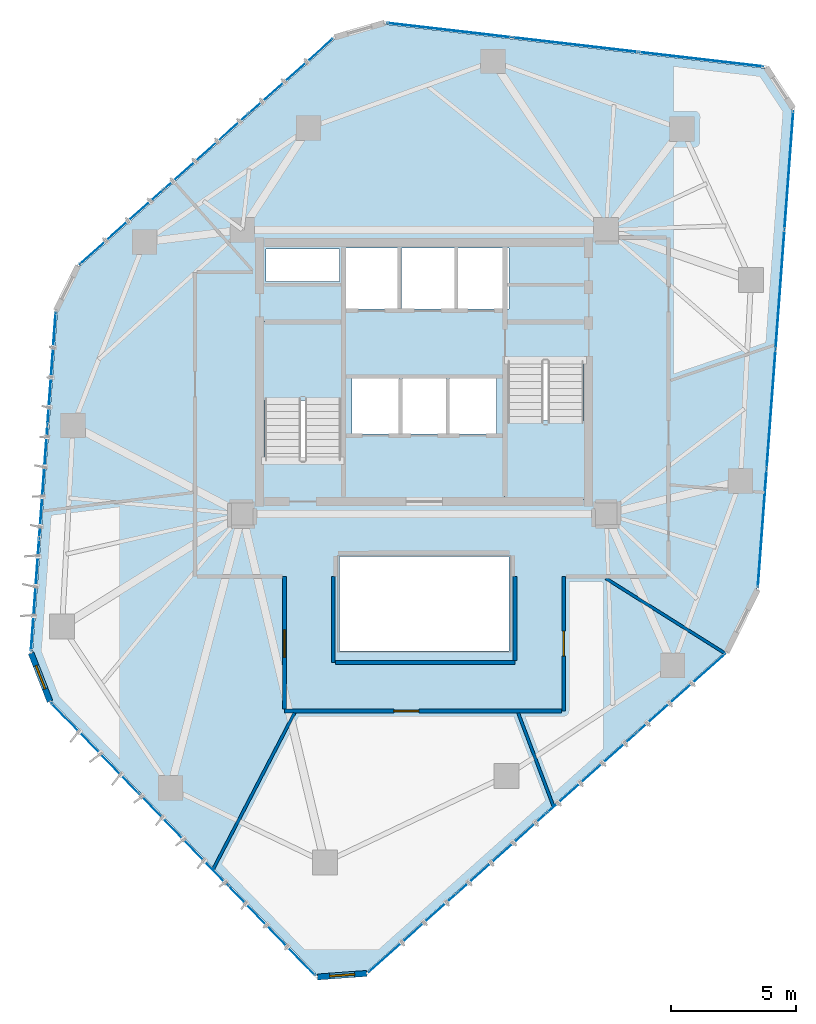
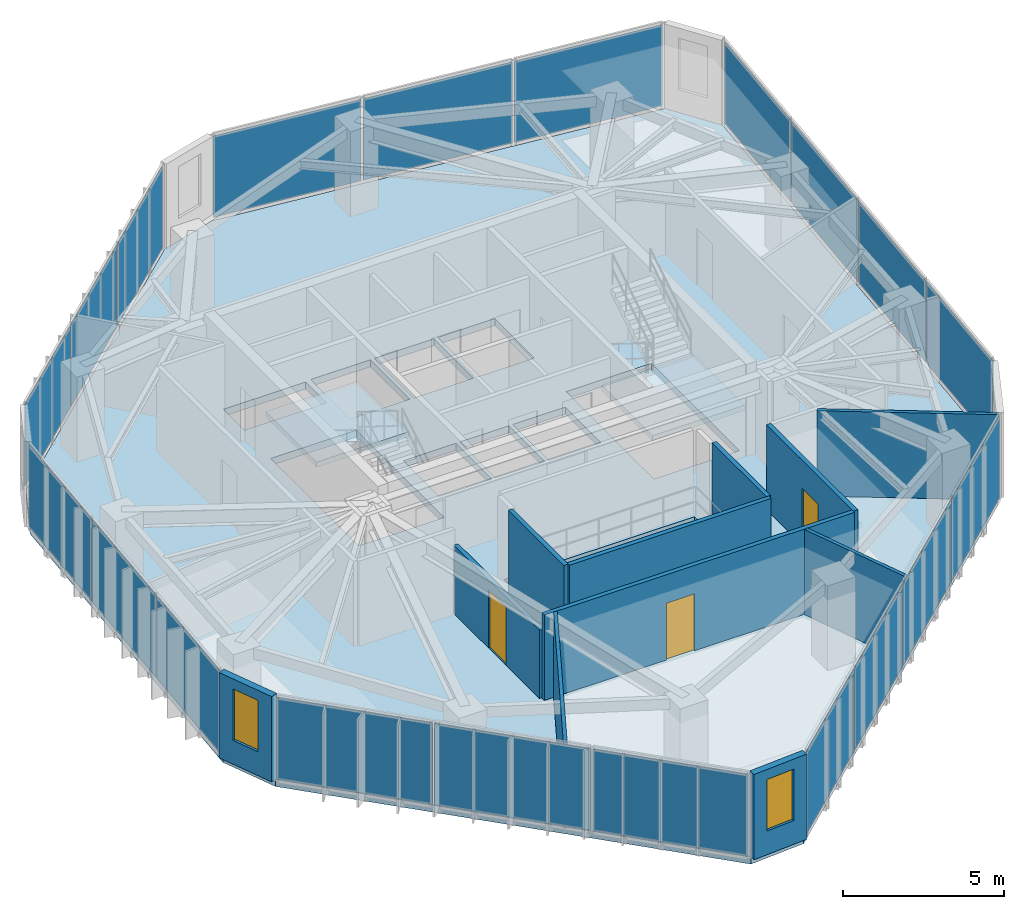
# One storey, part 15 of 20: 20 plates, 11 walls, 3 doors, 3 slabs, 2 windows, 5 openings, 8 elements without a shape of their own.
"""IFC4 building model written with IfcOpenShell, lengths in metres."""

from ifc_helpers import new_model, si_unit, direction, frame, frame_2d, origin, origin_2d, place, context, subcontext, project, spatial, polyline, rectangle, outline, extrude, source, transform, mapped, material, layer, layer_set, type_object, type_shapes, element, fill, aggregate, save


model = new_model("IFC4")

# Units and contexts
model_context = context("Model", 3, precision=1e-05, world=origin(), true_north=direction((0.0, 1.0)))
body_context = subcontext(model_context, "Body", "Model", "MODEL_VIEW")
ifc_project = project(units=[si_unit("LENGTHUNIT", "METRE"), si_unit("AREAUNIT", "SQUARE_METRE"), si_unit("VOLUMEUNIT", "CUBIC_METRE"), si_unit("PLANEANGLEUNIT", "RADIAN"), si_unit("MASSUNIT", "GRAM", prefix="KILO")], contexts=[model_context])

# Site, building, storey
site_placement = place(None, origin())
site = spatial("IfcSite", under=ifc_project, at=site_placement, CompositionType="ELEMENT")
building_placement = place(site_placement, origin())
building = spatial("IfcBuilding", under=site, at=building_placement, Name="Talar Marvaseh", CompositionType="ELEMENT")
storey_placement = place(building_placement, frame((0.0, 0.0, 215.199951171875)))
storey = spatial("IfcBuildingStorey", under=building, at=storey_placement, Name="L56", CompositionType="ELEMENT", Elevation=215.199951171875)

# Stair, slab
ifc_material_1 = material(Name="Concrete C40/50", Category="concrete")
stair_type = type_object("IfcStairType", Name="Reinforced Concrete High-Rise Exit Stair Type C", PredefinedType="HALF_TURN_STAIR", material=ifc_material_1)
stair_1_placement = place(storey_placement, origin())
stair_1 = element("IfcStair", 1, at=stair_1_placement, inside=storey, type_object=stair_type, Name="L56 Tower West Core Exit Stair", PredefinedType="HALF_TURN_STAIR")
ifc_layer_1 = layer(ifc_material_1, 0.199951171875)
ifc_layer_set_1 = layer_set([ifc_layer_1], Name="Concrete C40/50")
slab_type_1 = type_object("IfcSlabType", Name="Reinforced Concrete Stair Half-Landing Slab 200", PredefinedType="LANDING", material=ifc_layer_set_1)
slab_1_placement = place(storey_placement, frame((0.0, 0.0, 1.550048828125)))
slab_1 = element("IfcSlab", 2, at=slab_1_placement, type_object=slab_type_1, Name="ST-1 landing 1", PredefinedType="LANDING", context=body_context, shape_type="SweptSolid", body=[
    extrude(outline(polyline([(22.780029296875, 30.050048828125), (22.780029296875, 33.219970703125), (19.47998046875, 33.219970703125), (19.47998046875, 30.050048828125), (22.780029296875, 30.050048828125)])), origin(), (0.0, 0.0, 1.0), 0.199951171875),
])
aggregate(stair_1, [slab_1])

stair_2_placement = place(storey_placement, origin())
stair_2 = element("IfcStair", 3, at=stair_2_placement, inside=storey, type_object=stair_type, Name="L56 Tower East Core Exit Stair", PredefinedType="HALF_TURN_STAIR")
slab_2_placement = place(storey_placement, frame((0.0, 0.0, 1.550048828125)))
slab_2 = element("IfcSlab", 4, at=slab_2_placement, type_object=slab_type_1, Name="ST-2 landing 1", PredefinedType="LANDING", context=body_context, shape_type="SweptSolid", body=[
    extrude(outline(polyline([(29.219970703125, 29.25), (29.219970703125, 26.080078125), (32.52001953125, 26.080078125), (32.52001953125, 29.25), (29.219970703125, 29.25)])), origin(), (0.0, 0.0, 1.0), 0.199951171875),
])
aggregate(stair_2, [slab_2])

# Slab
ifc_layer_2 = layer(ifc_material_1, 0.27001953125)
ifc_layer_set_2 = layer_set([ifc_layer_2], Name="Concrete C40/50")
slab_type_2 = type_object("IfcSlabType", Name="Structural Suspended Floor Slab 270", PredefinedType="FLOOR", material=ifc_layer_set_2)
slab_3_placement = place(storey_placement, frame((0.0, 0.0, -0.27001953125)))
element("IfcSlab", 5, at=slab_3_placement, inside=storey, type_object=slab_type_2, Name="L56 Tower Floor Slab", PredefinedType="FLOOR", context=body_context, shape_type="SweptSolid", body=[
    extrude(outline(polyline([(23.689453125, 7.128662109375), (21.716796875, 6.984619140625), (11.04296875, 18.000732421875), (10.28173828125, 19.945556640625), (11.283203125, 33.640869140625), (12.169189453125, 35.437255859375), (22.424560546875, 44.56884765625), (24.430908203125, 45.14892578125), (39.66845703125, 43.386962890625), (40.7548828125, 41.734375), (39.322509765625, 22.49951171875), (38.077392578125, 19.974609375), (23.689453125, 7.128662109375)]), holes=[polyline([(22.659912109375, 27.64990234375), (22.659912109375, 33.10009765625), (19.60009765625, 33.10009765625), (19.60009765625, 27.64990234375), (22.659912109375, 27.64990234375)]), polyline([(29.340087890625, 31.64990234375), (29.340087890625, 26.199951171875), (32.39990234375, 26.199951171875), (32.39990234375, 31.64990234375), (29.340087890625, 31.64990234375)]), polyline([(22.800048828125, 33.719970703125), (24.93994140625, 33.719970703125), (24.93994140625, 36.179931640625), (22.800048828125, 36.179931640625), (22.800048828125, 33.719970703125)]), polyline([(25.080078125, 33.719970703125), (27.219970703125, 33.719970703125), (27.219970703125, 36.179931640625), (25.080078125, 36.179931640625), (25.080078125, 33.719970703125)]), polyline([(27.360107421875, 33.719970703125), (29.39990234375, 33.719970703125), (29.39990234375, 36.179931640625), (27.360107421875, 36.179931640625), (27.360107421875, 33.719970703125)]), polyline([(23.10009765625, 28.719970703125), (24.97998046875, 28.719970703125), (24.97998046875, 30.93994140625), (23.10009765625, 30.93994140625), (23.10009765625, 28.719970703125)]), polyline([(25.1201171875, 28.719970703125), (26.8798828125, 28.719970703125), (26.8798828125, 30.93994140625), (25.1201171875, 30.93994140625), (25.1201171875, 28.719970703125)]), polyline([(27.02001953125, 28.719970703125), (28.89990234375, 28.719970703125), (28.89990234375, 30.93994140625), (27.02001953125, 30.93994140625), (27.02001953125, 28.719970703125)]), polyline([(19.659912109375, 34.840087890625), (22.60009765625, 34.840087890625), (22.60009765625, 36.139892578125), (19.659912109375, 36.139892578125), (19.659912109375, 34.840087890625)]), polyline([(22.60009765625, 20.0), (29.39990234375, 20.0), (29.39990234375, 23.800048828125), (22.60009765625, 23.800048828125), (22.60009765625, 20.0)])]), origin(), (0.0, 0.0, 1.0), 0.27001953125),
])

# Curtain wall, plates
ifc_material_2 = material(Name="Architectural Aluminium", Category="aluminium")
ifc_layer_3 = layer(ifc_material_2, 0.18994140625)
ifc_layer_set_3 = layer_set([ifc_layer_3], Name="Architectural Aluminium")
curtain_wall_type = type_object("IfcCurtainWallType", Name="Unitised Solar Atelier Curtain Wall Z3", PredefinedType="NOTDEFINED", material=ifc_layer_set_3)
curtain_wall_1_placement = place(storey_placement, origin())
curtain_wall_1 = element("IfcCurtainWall", 6, at=curtain_wall_1_placement, inside=storey, type_object=curtain_wall_type, Name="L56 Unitised Solar Atelier Curtain Wall Z3", PredefinedType="NOTDEFINED")
ifc_material_3 = material(Name="Laminated Low-E Solar Glass", Category="glass")
ifc_layer_4 = layer(ifc_material_3, 0.028076171875)
ifc_layer_set_4 = layer_set([ifc_layer_4], Name="Laminated Low-E Solar Glass")
plate_type = type_object("IfcPlateType", Name="Double-Glazed Low-E Vision Curtain Panel 28", PredefinedType="CURTAIN_PANEL", material=ifc_layer_set_4)
shared_shape_1 = source(origin(), body_context, "Body", "SweptSolid", [
    extrude(rectangle(XDim=5.00048828125, YDim=0.028076171875, at=origin_2d()), origin(), (0.0, 0.0, 1.0), 3.080078125),
])
plate_1_placement = place(storey_placement, frame((19.8818359375, 8.79248046875, 0.074951171875), z_axis=(0.0, 0.0, 1.0), x_axis=(-0.695864261431, 0.718173328427, 0.0)))
plate_1 = element("IfcPlate", 7, at=plate_1_placement, type_object=plate_type, Name="CW-Z3 panel 1.1", PredefinedType="CURTAIN_PANEL", context=body_context, shape_type="MappedRepresentation", body=[
    mapped(shared_shape_1, transform((0.0, 0.0, 0.0), x_axis=(1.0, 0.0, 0.0), y_axis=(0.0, 1.0, 0.0), z_axis=(0.0, 0.0, 1.0), scale=1.0)),
])
plate_2_placement = place(storey_placement, frame((12.7919921875, 16.109619140625, 0.074951171875), z_axis=(0.0, 0.0, 1.0), x_axis=(-0.695864261431, 0.718173328427, 0.0)))
plate_2 = element("IfcPlate", 8, at=plate_2_placement, type_object=plate_type, Name="CW-Z3 panel 3.1", PredefinedType="CURTAIN_PANEL", context=body_context, shape_type="MappedRepresentation", body=[
    mapped(shared_shape_1, transform((0.0, 0.0, 0.0), x_axis=(1.0, 0.0, 0.0), y_axis=(0.0, 1.0, 0.0), z_axis=(0.0, 0.0, 1.0), scale=1.0)),
])

curtain_wall_2_placement = place(storey_placement, origin())
curtain_wall_2 = element("IfcCurtainWall", 9, at=curtain_wall_2_placement, inside=storey, type_object=curtain_wall_type, Name="L56 Unitised Solar Atelier Curtain Wall Z3", PredefinedType="NOTDEFINED")
plate_3_placement = place(storey_placement, frame((26.99609375, 44.91259765625, 0.074951171875), z_axis=(0.0, 0.0, 1.0), x_axis=(0.993380496378, -0.114870315646, 0.0)))
plate_3 = element("IfcPlate", 10, at=plate_3_placement, type_object=plate_type, Name="CW-Z3 panel 1.1", PredefinedType="CURTAIN_PANEL", context=body_context, shape_type="MappedRepresentation", body=[
    mapped(shared_shape_1, transform((0.0, 0.0, 0.0), x_axis=(1.0, 0.0, 0.0), y_axis=(0.0, 1.0, 0.0), z_axis=(0.0, 0.0, 1.0), scale=1.0)),
])
plate_4_placement = place(storey_placement, frame((37.1171875, 43.742431640625, 0.074951171875), z_axis=(0.0, 0.0, 1.0), x_axis=(0.993380496378, -0.114870315646, 0.0)))
plate_4 = element("IfcPlate", 11, at=plate_4_placement, type_object=plate_type, Name="CW-Z3 panel 3.1", PredefinedType="CURTAIN_PANEL", context=body_context, shape_type="MappedRepresentation", body=[
    mapped(shared_shape_1, transform((0.0, 0.0, 0.0), x_axis=(1.0, 0.0, 0.0), y_axis=(0.0, 1.0, 0.0), z_axis=(0.0, 0.0, 1.0), scale=1.0)),
])

# Plate
shared_shape_2 = source(origin(), body_context, "Body", "SweptSolid", [
    extrude(rectangle(XDim=5.0380859375, YDim=0.028076171875, at=origin_2d()), origin(), (0.0, 0.0, 1.0), 3.080078125),
])
plate_5_placement = place(storey_placement, frame((16.3369140625, 12.450927734375, 0.074951171875), z_axis=(0.0, 0.0, 1.0), x_axis=(-0.695864261431, 0.718173328427, 0.0)))
plate_5 = element("IfcPlate", 12, at=plate_5_placement, type_object=plate_type, Name="CW-Z3 panel 2.1", PredefinedType="CURTAIN_PANEL", context=body_context, shape_type="MappedRepresentation", body=[
    mapped(shared_shape_2, transform((0.0, 0.0, 0.0), x_axis=(1.0, 0.0, 0.0), y_axis=(0.0, 1.0, 0.0), z_axis=(0.0, 0.0, 1.0), scale=1.0)),
])

aggregate(curtain_wall_1, [plate_1, plate_5, plate_2])

plate_6_placement = place(storey_placement, frame((32.056640625, 44.327392578125, 0.074951171875), z_axis=(0.0, 0.0, 1.0), x_axis=(0.993380496378, -0.114870315646, 0.0)))
plate_6 = element("IfcPlate", 13, at=plate_6_placement, type_object=plate_type, Name="CW-Z3 panel 2.1", PredefinedType="CURTAIN_PANEL", context=body_context, shape_type="MappedRepresentation", body=[
    mapped(shared_shape_2, transform((0.0, 0.0, 0.0), x_axis=(1.0, 0.0, 0.0), y_axis=(0.0, 1.0, 0.0), z_axis=(0.0, 0.0, 1.0), scale=1.0)),
])

aggregate(curtain_wall_2, [plate_3, plate_6, plate_4])

# Curtain wall, plates
curtain_wall_3_placement = place(storey_placement, origin())
curtain_wall_3 = element("IfcCurtainWall", 14, at=curtain_wall_3_placement, inside=storey, type_object=curtain_wall_type, Name="L56 Unitised Solar Atelier Curtain Wall Z3", PredefinedType="NOTDEFINED")
shared_shape_3 = source(origin(), body_context, "Body", "SweptSolid", [
    extrude(rectangle(XDim=4.46484375, YDim=0.028076171875, at=origin_2d()), origin(), (0.0, 0.0, 1.0), 3.080078125),
])
plate_7_placement = place(storey_placement, frame((10.390380859375, 22.251220703125, 0.074951171875), z_axis=(0.0, 0.0, 1.0), x_axis=(0.072925816354, 0.99733736785, 0.0)))
plate_7 = element("IfcPlate", 15, at=plate_7_placement, type_object=plate_type, Name="CW-Z3 panel 1.1", PredefinedType="CURTAIN_PANEL", context=body_context, shape_type="MappedRepresentation", body=[
    mapped(shared_shape_3, transform((0.0, 0.0, 0.0), x_axis=(1.0, 0.0, 0.0), y_axis=(0.0, 1.0, 0.0), z_axis=(0.0, 0.0, 1.0), scale=1.0)),
])
plate_8_placement = place(storey_placement, frame((11.05517578125, 31.343994140625, 0.074951171875), z_axis=(0.0, 0.0, 1.0), x_axis=(0.072925816354, 0.99733736785, 0.0)))
plate_8 = element("IfcPlate", 16, at=plate_8_placement, type_object=plate_type, Name="CW-Z3 panel 3.1", PredefinedType="CURTAIN_PANEL", context=body_context, shape_type="MappedRepresentation", body=[
    mapped(shared_shape_3, transform((0.0, 0.0, 0.0), x_axis=(1.0, 0.0, 0.0), y_axis=(0.0, 1.0, 0.0), z_axis=(0.0, 0.0, 1.0), scale=1.0)),
])

curtain_wall_4_placement = place(storey_placement, origin())
curtain_wall_4 = element("IfcCurtainWall", 17, at=curtain_wall_4_placement, inside=storey, type_object=curtain_wall_type, Name="L56 Unitised Solar Atelier Curtain Wall Z3", PredefinedType="NOTDEFINED")
plate_9_placement = place(storey_placement, frame((13.8525390625, 37.0166015625, 0.074951171875), z_axis=(0.0, 0.0, 1.0), x_axis=(0.74684494069, 0.664998221476, 0.0)))
plate_9 = element("IfcPlate", 18, at=plate_9_placement, type_object=plate_type, Name="CW-Z3 panel 1.1", PredefinedType="CURTAIN_PANEL", context=body_context, shape_type="MappedRepresentation", body=[
    mapped(shared_shape_3, transform((0.0, 0.0, 0.0), x_axis=(1.0, 0.0, 0.0), y_axis=(0.0, 1.0, 0.0), z_axis=(0.0, 0.0, 1.0), scale=1.0)),
])
plate_10_placement = place(storey_placement, frame((20.661376953125, 43.079345703125, 0.074951171875), z_axis=(0.0, 0.0, 1.0), x_axis=(0.74684494069, 0.664998221476, 0.0)))
plate_10 = element("IfcPlate", 19, at=plate_10_placement, type_object=plate_type, Name="CW-Z3 panel 3.1", PredefinedType="CURTAIN_PANEL", context=body_context, shape_type="MappedRepresentation", body=[
    mapped(shared_shape_3, transform((0.0, 0.0, 0.0), x_axis=(1.0, 0.0, 0.0), y_axis=(0.0, 1.0, 0.0), z_axis=(0.0, 0.0, 1.0), scale=1.0)),
])

# Plate
shared_shape_4 = source(origin(), body_context, "Body", "SweptSolid", [
    extrude(rectangle(XDim=4.502197265625, YDim=0.028076171875, at=origin_2d()), origin(), (0.0, 0.0, 1.0), 3.080078125),
])
plate_11_placement = place(storey_placement, frame((10.72265625, 26.797607421875, 0.074951171875), z_axis=(0.0, 0.0, 1.0), x_axis=(0.072925816354, 0.99733736785, 0.0)))
plate_11 = element("IfcPlate", 20, at=plate_11_placement, type_object=plate_type, Name="CW-Z3 panel 2.1", PredefinedType="CURTAIN_PANEL", context=body_context, shape_type="MappedRepresentation", body=[
    mapped(shared_shape_4, transform((0.0, 0.0, 0.0), x_axis=(1.0, 0.0, 0.0), y_axis=(0.0, 1.0, 0.0), z_axis=(0.0, 0.0, 1.0), scale=1.0)),
])

aggregate(curtain_wall_3, [plate_7, plate_11, plate_8])

plate_12_placement = place(storey_placement, frame((17.2568359375, 40.0478515625, 0.074951171875), z_axis=(0.0, 0.0, 1.0), x_axis=(0.74684494069, 0.664998221476, 0.0)))
plate_12 = element("IfcPlate", 21, at=plate_12_placement, type_object=plate_type, Name="CW-Z3 panel 2.1", PredefinedType="CURTAIN_PANEL", context=body_context, shape_type="MappedRepresentation", body=[
    mapped(shared_shape_4, transform((0.0, 0.0, 0.0), x_axis=(1.0, 0.0, 0.0), y_axis=(0.0, 1.0, 0.0), z_axis=(0.0, 0.0, 1.0), scale=1.0)),
])

aggregate(curtain_wall_4, [plate_9, plate_12, plate_10])

# Curtain wall, plates
curtain_wall_5_placement = place(storey_placement, origin())
curtain_wall_5 = element("IfcCurtainWall", 22, at=curtain_wall_5_placement, inside=storey, type_object=curtain_wall_type, Name="L56 Unitised Solar Atelier Curtain Wall Z3", PredefinedType="NOTDEFINED")
shared_shape_5 = source(origin(), body_context, "Body", "SweptSolid", [
    extrude(rectangle(XDim=4.70947265625, YDim=0.028076171875, at=origin_2d()), origin(), (0.0, 0.0, 1.0), 3.080078125),
])
plate_13_placement = place(storey_placement, frame((40.63427734375, 39.306884765625, 0.074951171875), z_axis=(0.0, 0.0, 1.0), x_axis=(-0.074263171764, -0.997238678211, 0.0)))
plate_13 = element("IfcPlate", 23, at=plate_13_placement, type_object=plate_type, Name="CW-Z3 panel 1.1", PredefinedType="CURTAIN_PANEL", context=body_context, shape_type="MappedRepresentation", body=[
    mapped(shared_shape_5, transform((0.0, 0.0, 0.0), x_axis=(1.0, 0.0, 0.0), y_axis=(0.0, 1.0, 0.0), z_axis=(0.0, 0.0, 1.0), scale=1.0)),
])
plate_14_placement = place(storey_placement, frame((39.562744140625, 24.91796875, 0.074951171875), z_axis=(0.0, 0.0, 1.0), x_axis=(-0.074263171764, -0.997238678211, 0.0)))
plate_14 = element("IfcPlate", 24, at=plate_14_placement, type_object=plate_type, Name="CW-Z3 panel 4.1", PredefinedType="CURTAIN_PANEL", context=body_context, shape_type="MappedRepresentation", body=[
    mapped(shared_shape_5, transform((0.0, 0.0, 0.0), x_axis=(1.0, 0.0, 0.0), y_axis=(0.0, 1.0, 0.0), z_axis=(0.0, 0.0, 1.0), scale=1.0)),
])

curtain_wall_6_placement = place(storey_placement, origin())
curtain_wall_6 = element("IfcCurtainWall", 25, at=curtain_wall_6_placement, inside=storey, type_object=curtain_wall_type, Name="L56 Unitised Solar Atelier Curtain Wall Z3", PredefinedType="NOTDEFINED")
plate_15_placement = place(storey_placement, frame((36.304931640625, 18.3115234375, 0.074951171875), z_axis=(0.0, 0.0, 1.0), x_axis=(-0.74595357556, -0.665997945274, 0.0)))
plate_15 = element("IfcPlate", 26, at=plate_15_placement, type_object=plate_type, Name="CW-Z3 panel 1.1", PredefinedType="CURTAIN_PANEL", context=body_context, shape_type="MappedRepresentation", body=[
    mapped(shared_shape_5, transform((0.0, 0.0, 0.0), x_axis=(1.0, 0.0, 0.0), y_axis=(0.0, 1.0, 0.0), z_axis=(0.0, 0.0, 1.0), scale=1.0)),
])
plate_16_placement = place(storey_placement, frame((25.5419921875, 8.7021484375, 0.074951171875), z_axis=(0.0, 0.0, 1.0), x_axis=(-0.74595357556, -0.665997945274, 0.0)))
plate_16 = element("IfcPlate", 27, at=plate_16_placement, type_object=plate_type, Name="CW-Z3 panel 4.1", PredefinedType="CURTAIN_PANEL", context=body_context, shape_type="MappedRepresentation", body=[
    mapped(shared_shape_5, transform((0.0, 0.0, 0.0), x_axis=(1.0, 0.0, 0.0), y_axis=(0.0, 1.0, 0.0), z_axis=(0.0, 0.0, 1.0), scale=1.0)),
])

# Plate
shared_shape_6 = source(origin(), body_context, "Body", "SweptSolid", [
    extrude(rectangle(XDim=4.7470703125, YDim=0.028076171875, at=origin_2d()), origin(), (0.0, 0.0, 1.0), 3.080078125),
])
type_shapes(plate_type, [shared_shape_1, shared_shape_2, shared_shape_3, shared_shape_4, shared_shape_5, shared_shape_6])
plate_17_placement = place(storey_placement, frame((40.277587890625, 34.516845703125, 0.074951171875), z_axis=(0.0, 0.0, 1.0), x_axis=(-0.074263171764, -0.997238678211, 0.0)))
plate_17 = element("IfcPlate", 28, at=plate_17_placement, type_object=plate_type, Name="CW-Z3 panel 2.1", PredefinedType="CURTAIN_PANEL", context=body_context, shape_type="MappedRepresentation", body=[
    mapped(shared_shape_6, transform((0.0, 0.0, 0.0), x_axis=(1.0, 0.0, 0.0), y_axis=(0.0, 1.0, 0.0), z_axis=(0.0, 0.0, 1.0), scale=1.0)),
])

plate_18_placement = place(storey_placement, frame((39.91943359375, 29.7080078125, 0.074951171875), z_axis=(0.0, 0.0, 1.0), x_axis=(-0.074263171764, -0.997238678211, 0.0)))
plate_18 = element("IfcPlate", 29, at=plate_18_placement, type_object=plate_type, Name="CW-Z3 panel 3.1", PredefinedType="CURTAIN_PANEL", context=body_context, shape_type="MappedRepresentation", body=[
    mapped(shared_shape_6, transform((0.0, 0.0, 0.0), x_axis=(1.0, 0.0, 0.0), y_axis=(0.0, 1.0, 0.0), z_axis=(0.0, 0.0, 1.0), scale=1.0)),
])

aggregate(curtain_wall_5, [plate_13, plate_17, plate_18, plate_14])

plate_19_placement = place(storey_placement, frame((32.721923828125, 15.112548828125, 0.074951171875), z_axis=(0.0, 0.0, 1.0), x_axis=(-0.74595357556, -0.665997945274, 0.0)))
plate_19 = element("IfcPlate", 30, at=plate_19_placement, type_object=plate_type, Name="CW-Z3 panel 2.1", PredefinedType="CURTAIN_PANEL", context=body_context, shape_type="MappedRepresentation", body=[
    mapped(shared_shape_6, transform((0.0, 0.0, 0.0), x_axis=(1.0, 0.0, 0.0), y_axis=(0.0, 1.0, 0.0), z_axis=(0.0, 0.0, 1.0), scale=1.0)),
])

plate_20_placement = place(storey_placement, frame((29.125, 11.901123046875, 0.074951171875), z_axis=(0.0, 0.0, 1.0), x_axis=(-0.74595357556, -0.665997945274, 0.0)))
plate_20 = element("IfcPlate", 31, at=plate_20_placement, type_object=plate_type, Name="CW-Z3 panel 3.1", PredefinedType="CURTAIN_PANEL", context=body_context, shape_type="MappedRepresentation", body=[
    mapped(shared_shape_6, transform((0.0, 0.0, 0.0), x_axis=(1.0, 0.0, 0.0), y_axis=(0.0, 1.0, 0.0), z_axis=(0.0, 0.0, 1.0), scale=1.0)),
])

aggregate(curtain_wall_6, [plate_15, plate_19, plate_20, plate_16])

# Wall, opening, window
ifc_material_4 = material(Name="Precast concrete C45/55", Category="concrete")
ifc_layer_5 = layer(ifc_material_4, 0.239990234375)
ifc_layer_set_5 = layer_set([ifc_layer_5], Name="Precast concrete C45/55")
wall_type_1 = type_object("IfcWallType", Name="Chamfered Hexagonal Corner Pier Wall Z3 240", PredefinedType="SOLIDWALL", material=ifc_layer_set_5)
wall_1_placement = place(storey_placement, frame((23.69384765625, 7.06884765625, 0.0), z_axis=(0.0, 0.0, 1.0), x_axis=(-0.99734466801, -0.072825910164, 0.0)))
wall_1 = element("IfcWall", 32, at=wall_1_placement, inside=storey, type_object=wall_type_1, Name="L56 Chamfered Corner Limestone Pier 1", PredefinedType="SOLIDWALL", context=body_context, shape_type="SweptSolid", body=[
    extrude(rectangle(XDim=1.97802734375, YDim=0.239990234375, at=frame_2d((0.989013671875, 0.0))), origin(), (0.0, 0.0, 1.0), 3.22998046875),
])
opening_1_placement = place(wall_1_placement, frame((0.489013671875, 0.0, 0.89990234375)))
opening_1 = element("IfcOpeningElement", 33, at=opening_1_placement, cuts=wall_1, Name="Opening WN-CHM10", PredefinedType="OPENING", context=body_context, shape_type="SweptSolid", body=[
    extrude(rectangle(XDim=1.0, YDim=1.949951171875, at=frame_2d((0.5, 0.97509765625))), frame((0.0, 0.1298828125, 0.0), z_axis=(0.0, -1.0, 0.0), x_axis=(1.0, 0.0, 0.0)), (0.0, 0.0, 1.0), 0.260009765625),
])
window_type = type_object("IfcWindowType", Name="Zone 3 Chamfered Corner Slot Window 1000x1950", PartitioningType="SINGLE_PANEL", PredefinedType="WINDOW", material=ifc_material_3)
shared_shape_7 = source(origin(), body_context, "Body", "SweptSolid", [
    extrude(rectangle(XDim=1.0, YDim=1.949951171875, at=frame_2d((0.5, 0.97509765625))), frame((0.0, 0.030029296875, 0.0), z_axis=(0.0, -1.0, 0.0), x_axis=(1.0, 0.0, 0.0)), (0.0, 0.0, 1.0), 0.06005859375),
])
type_shapes(window_type, [shared_shape_7])
window_1_placement = place(opening_1_placement, origin())
window_1 = element("IfcWindow", 34, at=window_1_placement, inside=storey, type_object=window_type, Name="L56 Chamfered Corner Slot Window", OverallHeight=1.949951171875, OverallWidth=1.0, PartitioningType="SINGLE_PANEL", PredefinedType="WINDOW", context=body_context, shape_type="MappedRepresentation", body=[
    mapped(shared_shape_7, transform((0.0, 0.0, 0.0), x_axis=(1.0, 0.0, 0.0), y_axis=(0.0, 1.0, 0.0), z_axis=(0.0, 0.0, 1.0), scale=1.0)),
])
fill(opening_1, window_1)

wall_2_placement = place(storey_placement, frame((10.987060546875, 17.97900390625, 0.0), z_axis=(0.0, 0.0, 1.0), x_axis=(-0.364527180155, 0.931192748537, 0.0)))
wall_2 = element("IfcWall", 35, at=wall_2_placement, inside=storey, type_object=wall_type_1, Name="L56 Chamfered Corner Limestone Pier 2", PredefinedType="SOLIDWALL", context=body_context, shape_type="SweptSolid", body=[
    extrude(rectangle(XDim=2.08837890625, YDim=0.239990234375, at=frame_2d((1.044189453125, 0.0))), origin(), (0.0, 0.0, 1.0), 3.22998046875),
])
opening_2_placement = place(wall_2_placement, frame((0.5439453125, 0.0, 0.89990234375)))
opening_2 = element("IfcOpeningElement", 36, at=opening_2_placement, cuts=wall_2, Name="Opening WN-CHM10", PredefinedType="OPENING", context=body_context, shape_type="SweptSolid", body=[
    extrude(rectangle(XDim=1.0, YDim=1.949951171875, at=frame_2d((0.5, 0.97509765625))), frame((0.0, 0.1298828125, 0.0), z_axis=(0.0, -1.0, 0.0), x_axis=(1.0, 0.0, 0.0)), (0.0, 0.0, 1.0), 0.260009765625),
])
window_2_placement = place(opening_2_placement, origin())
window_2 = element("IfcWindow", 37, at=window_2_placement, inside=storey, type_object=window_type, Name="L56 Chamfered Corner Slot Window", OverallHeight=1.949951171875, OverallWidth=1.0, PartitioningType="SINGLE_PANEL", PredefinedType="WINDOW", context=body_context, shape_type="MappedRepresentation", body=[
    mapped(shared_shape_7, transform((0.0, 0.0, 0.0), x_axis=(1.0, 0.0, 0.0), y_axis=(0.0, 1.0, 0.0), z_axis=(0.0, 0.0, 1.0), scale=1.0)),
])
fill(opening_2, window_2)

# Wall, opening, door
ifc_material_5 = material(Name="Gypsum Board Partition Assembly")
ifc_layer_6 = layer(ifc_material_5, 0.155029296875)
ifc_layer_set_6 = layer_set([ifc_layer_6], Name="Gypsum Board Partition Assembly")
wall_type_2 = type_object("IfcWallType", Name="Corridor Fire-Rated Acoustic Partition 155", PredefinedType="PARTITIONING", material=ifc_layer_set_6)
wall_3_placement = place(storey_placement, frame((31.60009765625, 23.0, 0.0), z_axis=(0.0, 0.0, 1.0), x_axis=(0.0, -1.0, 0.0)))
wall_3 = element("IfcWall", 38, at=wall_3_placement, inside=storey, type_object=wall_type_2, Name="L56 Interior Partition Wall", PredefinedType="PARTITIONING", context=body_context, shape_type="SweptSolid", body=[
    extrude(rectangle(XDim=5.39990234375, YDim=0.155029296875, at=frame_2d((2.699951171875, 0.0))), origin(), (0.0, 0.0, 1.0), 3.22998046875),
])
opening_3_placement = place(wall_3_placement, frame((2.199951171875, 0.0, 0.0)))
opening_3 = element("IfcOpeningElement", 39, at=opening_3_placement, cuts=wall_3, Name="Opening DR-RM100", PredefinedType="OPENING", context=body_context, shape_type="SweptSolid", body=[
    extrude(rectangle(XDim=1.0, YDim=2.14990234375, at=frame_2d((0.5, 1.074951171875))), frame((0.0, 0.08740234375, 0.0), z_axis=(0.0, -1.0, 0.0), x_axis=(1.0, 0.0, 0.0)), (0.0, 0.0, 1.0), 0.175048828125),
])
ifc_material_6 = material(Name="Acoustic Engineered Oak Timber", Category="wood")
door_type_1 = type_object("IfcDoorType", Name="Corridor Fire-Rated Gallery Door 1000x2150", OperationType="NOTDEFINED", PredefinedType="DOOR", material=ifc_material_6)
shared_shape_8 = source(origin(), body_context, "Body", "SweptSolid", [
    extrude(rectangle(XDim=1.0, YDim=2.14990234375, at=frame_2d((0.5, 1.074951171875))), frame((0.0, 0.02490234375, 0.0), z_axis=(0.0, -1.0, 0.0), x_axis=(1.0, 0.0, 0.0)), (0.0, 0.0, 1.0), 0.050048828125),
])
type_shapes(door_type_1, [shared_shape_8])
door_1_placement = place(opening_3_placement, origin())
door_1 = element("IfcDoor", 40, at=door_1_placement, inside=storey, type_object=door_type_1, Name="L56 Visitor Orientation Foyer Door", OperationType="SINGLE_SWING_LEFT", OverallHeight=2.14990234375, OverallWidth=1.0, PredefinedType="DOOR", context=body_context, shape_type="MappedRepresentation", body=[
    mapped(shared_shape_8, transform((0.0, 0.0, 0.0), x_axis=(1.0, 0.0, 0.0), y_axis=(0.0, 1.0, 0.0), z_axis=(0.0, 0.0, 1.0), scale=1.0)),
])
fill(opening_3, door_1)

wall_4_placement = place(storey_placement, frame((31.5166015625, 17.60009765625, 0.0), z_axis=(0.0, 0.0, 1.0), x_axis=(-1.0, 0.0, 0.0)))
wall_4 = element("IfcWall", 41, at=wall_4_placement, inside=storey, type_object=wall_type_2, Name="L56 Interior Partition Wall", PredefinedType="PARTITIONING", context=body_context, shape_type="SweptSolid", body=[
    extrude(rectangle(XDim=11.11669921875, YDim=0.155029296875, at=frame_2d((5.558349609375, 0.0))), origin(), (0.0, 0.0, 1.0), 3.22998046875),
])
opening_4_placement = place(wall_4_placement, frame((5.730712890625, 0.0, 0.0)))
opening_4 = element("IfcOpeningElement", 42, at=opening_4_placement, cuts=wall_4, Name="Opening DR-RM100", PredefinedType="OPENING", context=body_context, shape_type="SweptSolid", body=[
    extrude(rectangle(XDim=1.0, YDim=2.14990234375, at=frame_2d((0.5, 1.074951171875))), frame((0.0, 0.08740234375, 0.0), z_axis=(0.0, -1.0, 0.0), x_axis=(1.0, 0.0, 0.0)), (0.0, 0.0, 1.0), 0.175048828125),
])
door_2_placement = place(opening_4_placement, origin())
door_2 = element("IfcDoor", 43, at=door_2_placement, inside=storey, type_object=door_type_1, Name="L56 Museum Publication Bookshop Door", OperationType="SINGLE_SWING_RIGHT", OverallHeight=2.14990234375, OverallWidth=1.0, PredefinedType="DOOR", context=body_context, shape_type="MappedRepresentation", body=[
    mapped(shared_shape_8, transform((0.0, 0.0, 0.0), x_axis=(1.0, 0.0, 0.0), y_axis=(0.0, 1.0, 0.0), z_axis=(0.0, 0.0, 1.0), scale=1.0)),
])
fill(opening_4, door_2)

wall_5_placement = place(storey_placement, frame((20.39990234375, 17.68359375, 0.0), z_axis=(0.0, 0.0, 1.0), x_axis=(0.0, 1.0, 0.0)))
wall_5 = element("IfcWall", 44, at=wall_5_placement, inside=storey, type_object=wall_type_2, Name="L56 Interior Partition Wall", PredefinedType="PARTITIONING", context=body_context, shape_type="SweptSolid", body=[
    extrude(rectangle(XDim=5.31640625, YDim=0.155029296875, at=frame_2d((2.658203125, 0.0))), origin(), (0.0, 0.0, 1.0), 2.589111328125),
])
opening_5_placement = place(wall_5_placement, frame((2.06640625, 0.0, 0.0)))
opening_5 = element("IfcOpeningElement", 45, at=opening_5_placement, cuts=wall_5, Name="Opening DR-RM110", PredefinedType="OPENING", context=body_context, shape_type="SweptSolid", body=[
    extrude(rectangle(XDim=1.10009765625, YDim=2.199951171875, at=frame_2d((0.550048828125, 1.10009765625))), frame((0.0, 0.08740234375, 0.0), z_axis=(0.0, -1.0, 0.0), x_axis=(1.0, 0.0, 0.0)), (0.0, 0.0, 1.0), 0.175048828125),
])
door_type_2 = type_object("IfcDoorType", Name="Assembly and Reading Hall Door 1100x2200", OperationType="NOTDEFINED", PredefinedType="DOOR", material=ifc_material_6)
shared_shape_9 = source(origin(), body_context, "Body", "SweptSolid", [
    extrude(rectangle(XDim=1.10009765625, YDim=2.199951171875, at=frame_2d((0.550048828125, 1.10009765625))), frame((0.0, 0.02490234375, 0.0), z_axis=(0.0, -1.0, 0.0), x_axis=(1.0, 0.0, 0.0)), (0.0, 0.0, 1.0), 0.050048828125),
])
type_shapes(door_type_2, [shared_shape_9])
door_3_placement = place(opening_5_placement, origin())
door_3 = element("IfcDoor", 46, at=door_3_placement, inside=storey, type_object=door_type_2, Name="L56 Gallery Concierge Reception Door", OperationType="SINGLE_SWING_LEFT", OverallHeight=2.199951171875, OverallWidth=1.10009765625, PredefinedType="DOOR", context=body_context, shape_type="MappedRepresentation", body=[
    mapped(shared_shape_9, transform((0.0, 0.0, 0.0), x_axis=(1.0, 0.0, 0.0), y_axis=(0.0, 1.0, 0.0), z_axis=(0.0, 0.0, 1.0), scale=1.0)),
])
fill(opening_5, door_3)

# Walls
wall_6_placement = place(storey_placement, frame((22.35009765625, 23.0, 0.0), z_axis=(0.0, 0.0, 1.0), x_axis=(0.0, -1.0, 0.0)))
element("IfcWall", 47, at=wall_6_placement, inside=storey, type_object=wall_type_2, Name="L56 Interior Partition Wall", PredefinedType="PARTITIONING", context=body_context, shape_type="SweptSolid", body=[
    extrude(rectangle(XDim=3.449951171875, YDim=0.155029296875, at=frame_2d((1.72509765625, 0.0))), origin(), (0.0, 0.0, 1.0), 3.22998046875),
])
wall_7_placement = place(storey_placement, frame((22.43359375, 19.550048828125, 0.0), z_axis=(0.0, 0.0, 1.0), x_axis=(1.0, 0.0, 0.0)))
element("IfcWall", 48, at=wall_7_placement, inside=storey, type_object=wall_type_2, Name="L56 Interior Partition Wall", PredefinedType="PARTITIONING", context=body_context, shape_type="SweptSolid", body=[
    extrude(rectangle(XDim=7.21630859375, YDim=0.155029296875, at=frame_2d((3.608154296875, 0.0))), origin(), (0.0, 0.0, 1.0), 3.22998046875),
])
wall_8_placement = place(storey_placement, frame((29.64990234375, 19.633544921875, 0.0), z_axis=(0.0, 0.0, 1.0), x_axis=(0.0, 1.0, 0.0)))
element("IfcWall", 49, at=wall_8_placement, inside=storey, type_object=wall_type_2, Name="L56 Interior Partition Wall", PredefinedType="PARTITIONING", context=body_context, shape_type="SweptSolid", body=[
    extrude(rectangle(XDim=3.366455078125, YDim=0.155029296875, at=frame_2d((1.68310546875, 0.0))), origin(), (0.0, 0.0, 1.0), 3.22998046875),
])
ifc_layer_7 = layer(ifc_material_5, 0.1201171875)
ifc_layer_set_7 = layer_set([ifc_layer_7], Name="Gypsum Board Partition Assembly")
wall_type_3 = type_object("IfcWallType", Name="Demountable Studio Room Partition 120", PredefinedType="PARTITIONING", material=ifc_layer_set_7)
wall_9_placement = place(storey_placement, frame((20.79638671875, 17.5166015625, 0.0), z_axis=(0.0, 0.0, 1.0), x_axis=(-0.462053347547, -0.886852131993, 0.0)))
element("IfcWall", 50, at=wall_9_placement, inside=storey, type_object=wall_type_3, Name="L56 Interior Partition Wall", PredefinedType="PARTITIONING", context=body_context, shape_type="SweptSolid", body=[
    extrude(rectangle(XDim=7.064453125, YDim=0.1201171875, at=frame_2d((3.5322265625, 0.0))), origin(), (0.0, 0.0, 1.0), 3.22998046875),
])
wall_10_placement = place(storey_placement, frame((29.771484375, 17.5166015625, 0.0), z_axis=(0.0, 0.0, 1.0), x_axis=(0.353642570934, -0.935380634834, 0.0)))
element("IfcWall", 51, at=wall_10_placement, inside=storey, type_object=wall_type_3, Name="L56 Interior Partition Wall", PredefinedType="PARTITIONING", context=body_context, shape_type="SweptSolid", body=[
    extrude(rectangle(XDim=4.001953125, YDim=0.1201171875, at=frame_2d((2.0009765625, 0.0))), origin(), (0.0, 0.0, 1.0), 3.22998046875),
])
wall_11_placement = place(storey_placement, frame((33.292724609375, 22.91650390625, 0.0), z_axis=(0.0, 0.0, 1.0), x_axis=(0.846290696127, -0.532721369619, 0.0)))
element("IfcWall", 52, at=wall_11_placement, inside=storey, type_object=wall_type_3, Name="L56 Interior Partition Wall", PredefinedType="PARTITIONING", context=body_context, shape_type="SweptSolid", body=[
    extrude(rectangle(XDim=5.636962890625, YDim=0.1201171875, at=frame_2d((2.818359375, 0.0))), origin(), (0.0, 0.0, 1.0), 3.22998046875),
])

save(model, "model.ifc")
